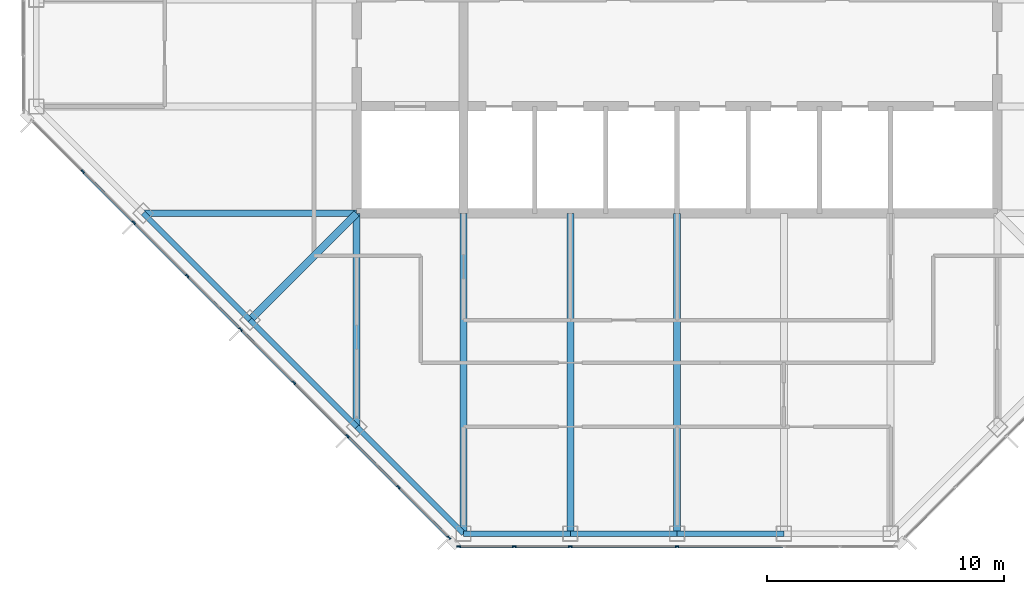
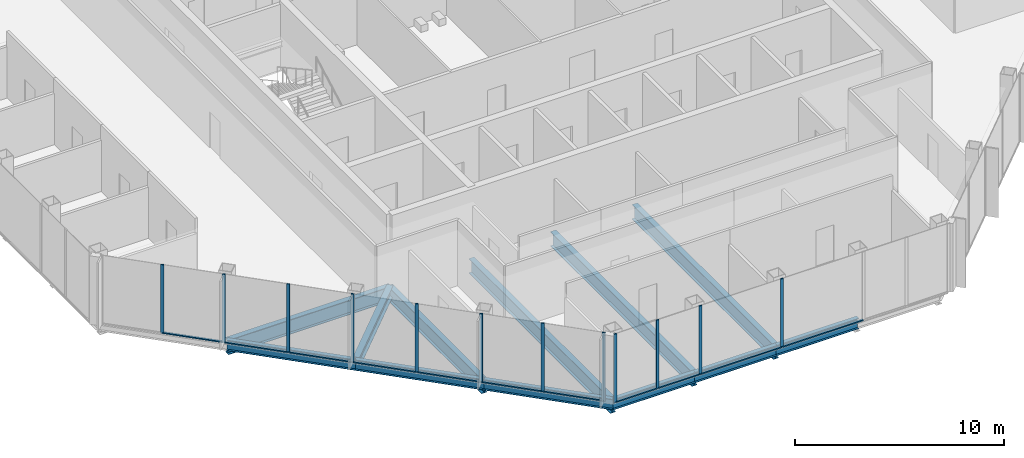
# One storey, part 2 of 14: 23 members, 12 beams, 2 elements without a shape of their own.
"""IFC4 building model written with IfcOpenShell, lengths in metres."""

import ifcopenshell
import ifcopenshell.guid

model = None  # the IFC model being written
_history = None  # IfcOwnerHistory: only IFC2X3 demands one
_inside = {}  # id of a spatial element -> (the spatial element, [elements in it])
_under = {}  # id of a project, library or spatial element -> (it, [spatial elements below it])
_declared = {}  # id of a project -> (the project, [libraries it declares])
_typed = {}  # id of a type object -> (the type object, [elements of that type])
_made_of = {}  # id of a material, layer set ... -> (it, [elements and type objects made of it])


def new_model(schema):
    """Start an empty IFC model of exactly this schema.

    Asked for "IFC4X3", IfcOpenShell would pick the latest addendum, in which some entities
    have other attributes; the version numbers below select the first issue.
    IFC2X3 requires an IfcOwnerHistory on every rooted entity: one is made here for all.
    """
    global model, _history
    if schema == "IFC4X3":
        model = ifcopenshell.file(schema_version=(4, 3, 0, 0))
    else:
        model = ifcopenshell.file(schema=schema)
    _inside.clear()
    _under.clear()
    _declared.clear()
    _typed.clear()
    _made_of.clear()
    _history = None
    if model.schema == "IFC2X3":
        org = make("IfcOrganization", Name="unknown")
        user = make(
            "IfcPersonAndOrganization",
            ThePerson=make("IfcPerson", FamilyName="unknown"),
            TheOrganization=org,
        )
        app = make(
            "IfcApplication",
            ApplicationDeveloper=org,
            Version="unknown",
            ApplicationFullName="unknown",
            ApplicationIdentifier="unknown",
        )
        _history = make(
            "IfcOwnerHistory",
            OwningUser=user,
            OwningApplication=app,
            ChangeAction="ADDED",
            CreationDate=0,
        )
    return model


def make(cls, **values):
    """One entity of the class cls with the attributes given. An attribute that is None is left unset."""
    return model.create_entity(
        cls, **{name: value for name, value in values.items() if value is not None}
    )


def rooted(cls, **values):
    """An entity with a GlobalId (a new one), such as an element, a storey or a relation."""
    return make(cls, GlobalId=ifcopenshell.guid.new(), OwnerHistory=_history, **values)


def si_unit(unit_type, name, prefix=None):
    """IfcSIUnit, for example si_unit("LENGTHUNIT", "METRE", prefix="MILLI")."""
    return make("IfcSIUnit", UnitType=unit_type, Prefix=prefix, Name=name)


def assignment(units):
    """IfcUnitAssignment: the units of a project."""
    return None if units is None else make("IfcUnitAssignment", Units=units)


def point(xyz):
    """IfcCartesianPoint."""
    return None if xyz is None else make("IfcCartesianPoint", Coordinates=xyz)


def direction(xyz):
    """IfcDirection."""
    return None if xyz is None else make("IfcDirection", DirectionRatios=xyz)


def frame(location, z_axis=None, x_axis=None):
    """IfcAxis2Placement3D, a coordinate frame: its origin and axes. An axis left out is left unset."""
    return make(
        "IfcAxis2Placement3D",
        Location=point(location),
        Axis=direction(z_axis),
        RefDirection=direction(x_axis),
    )


def frame_2d(location, x_axis=None):
    """IfcAxis2Placement2D, a coordinate frame in the plane: its origin and x axis."""
    return make(
        "IfcAxis2Placement2D", Location=point(location), RefDirection=direction(x_axis)
    )


def origin():
    """The frame at (0, 0, 0) with its axes left unset."""
    return frame((0.0, 0.0, 0.0))


def origin_2d():
    """The frame at (0, 0) in the plane with its x axis left unset."""
    return frame_2d((0.0, 0.0))


def place(relative_to, where):
    """IfcLocalPlacement: puts the frame where relative to a parent placement (None: the world)."""
    return make(
        "IfcLocalPlacement", PlacementRelTo=relative_to, RelativePlacement=where
    )


def context(
    kind, dimensions, precision=None, world=None, true_north=None, identifier=None
):
    """IfcGeometricRepresentationContext, for example the 3D "Model" context."""
    return make(
        "IfcGeometricRepresentationContext",
        ContextIdentifier=identifier,
        ContextType=kind,
        CoordinateSpaceDimension=dimensions,
        Precision=precision,
        WorldCoordinateSystem=world,
        TrueNorth=true_north,
    )


def subcontext(parent, identifier, kind, view, scale=None):
    """IfcGeometricRepresentationSubContext, for example "Body" below "Model"."""
    return make(
        "IfcGeometricRepresentationSubContext",
        ContextIdentifier=identifier,
        ContextType=kind,
        ParentContext=parent,
        TargetScale=scale,
        TargetView=view,
    )


def project(units=None, contexts=None):
    """IfcProject with its units and contexts."""
    return rooted(
        "IfcProject",
        Name="project",
        RepresentationContexts=contexts,
        UnitsInContext=assignment(units),
    )


def spatial(cls, under=None, at=None, **own):
    """A site, building, storey or space (cls), placed at a placement, below another one or the project."""
    s = rooted(cls, ObjectPlacement=at, **own)
    if under is not None:
        _under.setdefault(under.id(), (under, []))[1].append(s)
    return s


def profile(cls, at=None, kind="AREA", **sizes):
    """A parametric profile (cls). Its sizes go by their IFC names, for example OverallWidth=200.0."""
    return make(cls, ProfileType=kind, Position=at, **sizes)


def rectangle(**sizes):
    """IfcRectangleProfileDef."""
    return profile("IfcRectangleProfileDef", **sizes)


def i_section(**sizes):
    """IfcIShapeProfileDef."""
    return profile("IfcIShapeProfileDef", **sizes)


def extrude(swept, where, along, depth):
    """IfcExtrudedAreaSolid: the profile swept, set in the frame where, extruded along a direction by depth."""
    return make(
        "IfcExtrudedAreaSolid",
        SweptArea=swept,
        Position=where,
        ExtrudedDirection=direction(along),
        Depth=depth,
    )


def shape(context_of_items, identifier, shape_type, items):
    """IfcShapeRepresentation: the items that make up one representation, for example the "Body"."""
    return make(
        "IfcShapeRepresentation",
        ContextOfItems=context_of_items,
        RepresentationIdentifier=identifier,
        RepresentationType=shape_type,
        Items=items,
    )


def material(Name=None, Category=None):
    """IfcMaterial."""
    return make("IfcMaterial", Name=Name, Category=Category)


def material_profile(
    of_material, cross_section, Name=None, Category=None, Priority=None
):
    """IfcMaterialProfile: a cross section and its material."""
    return make(
        "IfcMaterialProfile",
        Name=Name,
        Material=of_material,
        Profile=cross_section,
        Priority=Priority,
        Category=Category,
    )


def profile_set(profiles, Name=None, composite=None):
    """IfcMaterialProfileSet."""
    return make(
        "IfcMaterialProfileSet",
        Name=Name,
        MaterialProfiles=profiles,
        CompositeProfile=composite,
    )


def made_of(thing, what):
    """Note that an element or type object is made of a material, layer set ...; save() writes the relation."""
    if what is not None:
        _made_of.setdefault(what.id(), (what, []))[1].append(thing)
    return thing


def type_object(cls, material=None, **own):
    """A type object (cls), such as IfcWallType, which elements share."""
    return made_of(rooted(cls, **own), material)


def element(
    cls,
    number,
    at=None,
    inside=None,
    cuts=None,
    type_object=None,
    material=None,
    context=None,
    identifier="Body",
    shape_type=None,
    held_by="IfcProductDefinitionShape",
    body=None,
    shapes=None,
    **own,
):
    """One element of the class cls, such as IfcWall. Its Tag is "e" and its number.

    at: its placement. inside: the storey or other place that contains it. cuts: it is an
    opening in that element (IfcRelVoidsElement). A single representation is given by context,
    identifier, shape_type and body (its items); several are given by shapes. held_by: the class
    of the entity that holds the representations. save() writes the other relations.
    """
    e = rooted(cls, Tag="e%d" % number, ObjectPlacement=at, **own)
    if body is not None:
        shapes = [shape(context, identifier, shape_type, body)]
    if shapes is not None:
        e.Representation = make(held_by, Representations=shapes)
    if inside is not None:
        _inside.setdefault(inside.id(), (inside, []))[1].append(e)
    if cuts is not None:
        rooted(
            "IfcRelVoidsElement", RelatingBuildingElement=cuts, RelatedOpeningElement=e
        )
    if type_object is not None:
        _typed.setdefault(type_object.id(), (type_object, []))[1].append(e)
    return made_of(e, material)


def aggregate(whole, parts):
    """IfcRelAggregates: a whole, such as a stair, and the parts it consists of."""
    return rooted("IfcRelAggregates", RelatingObject=whole, RelatedObjects=parts)


def save(model, path):
    """Write the relations noted so far, then the file.

    IfcRelAggregates (storeys below a building ...), IfcRelContainedInSpatialStructure (elements
    in a storey), IfcRelDefinesByType, IfcRelAssociatesMaterial and IfcRelDeclares: one each for
    every whole, place, type object, material and project.
    """
    for whole, parts in _under.values():
        aggregate(whole, parts)
    for where, things in _inside.values():
        rooted(
            "IfcRelContainedInSpatialStructure",
            RelatedElements=things,
            RelatingStructure=where,
        )
    for kind, things in _typed.values():
        rooted("IfcRelDefinesByType", RelatedObjects=things, RelatingType=kind)
    for what, things in _made_of.values():
        rooted("IfcRelAssociatesMaterial", RelatedObjects=things, RelatingMaterial=what)
    for by, libraries in _declared.values():
        rooted("IfcRelDeclares", RelatingContext=by, RelatedDefinitions=libraries)
    model.write(path)


model = new_model("IFC4")

# Units and contexts
model_context = context("Model", 3, precision=1e-05, world=origin(), true_north=direction((0.0, 1.0)))
body_context = subcontext(model_context, "Body", "Model", "MODEL_VIEW")
ifc_project = project(units=[si_unit("LENGTHUNIT", "METRE"), si_unit("AREAUNIT", "SQUARE_METRE"), si_unit("VOLUMEUNIT", "CUBIC_METRE"), si_unit("PLANEANGLEUNIT", "RADIAN"), si_unit("MASSUNIT", "GRAM", prefix="KILO")], contexts=[model_context])

# Site, building, storey
site_placement = place(None, origin())
site = spatial("IfcSite", under=ifc_project, at=site_placement, CompositionType="ELEMENT")
building_placement = place(site_placement, origin())
building = spatial("IfcBuilding", under=site, at=building_placement, Name="Corais Broadcast Tower", CompositionType="ELEMENT")
storey_placement = place(building_placement, frame((0.0, 0.0, 230.60009765625)))
storey = spatial("IfcBuildingStorey", under=building, at=storey_placement, Name="L53", CompositionType="ELEMENT", Elevation=230.60009765625)

# Beams
ifc_material_1 = material(Name="Steel ASTM A572 Grade 50", Category="steel")
ifc_material_profile_1 = material_profile(ifc_material_1, i_section(OverallWidth=0.323974609375, OverallDepth=0.611083984375, WebThickness=0.0126953125, FlangeThickness=0.01904296875, at=origin_2d()), Name="W610x155")
ifc_profile_set_1 = profile_set([ifc_material_profile_1], Name="Steel ASTM A572 Grade 50")
beam_type_1 = type_object("IfcBeamType", Name="Corner diagonal W610x155", PredefinedType="BEAM", material=ifc_profile_set_1)
beam_1_placement = place(storey_placement, frame((9.0, 9.0, -0.465576171875), z_axis=(0.707106781187, 0.707106781187, 0.0), x_axis=(-0.707106781187, 0.707106781187, 0.0)))
element("IfcBeam", 1, at=beam_1_placement, inside=storey, type_object=beam_type_1, Name="B6 C/5 to D/6", PredefinedType="BEAM", context=body_context, shape_type="SweptSolid", body=[
    extrude(i_section(OverallWidth=0.323974609375, OverallDepth=0.611083984375, WebThickness=0.0126953125, FlangeThickness=0.01904296875, at=origin_2d()), origin(), (0.0, 0.0, 1.0), 6.364013671875),
])
ifc_material_2 = material(Name="Steel ASTM A572 Grade 50", Category="steel")
ifc_material_profile_2 = material_profile(ifc_material_2, i_section(OverallWidth=0.2939453125, OverallDepth=0.85107421875, WebThickness=0.01611328125, FlangeThickness=0.02685546875, at=origin_2d()), Name="W840x226")
ifc_profile_set_2 = profile_set([ifc_material_profile_2], Name="Steel ASTM A572 Grade 50")
beam_type_2 = type_object("IfcBeamType", Name="Floor beam W840x226", PredefinedType="BEAM", material=ifc_profile_set_2)
beam_2_placement = place(storey_placement, frame((13.5, 4.5, -0.585693359375), z_axis=(0.0, 1.0, 0.0), x_axis=(-1.0, 0.0, 0.0)))
element("IfcBeam", 2, at=beam_2_placement, inside=storey, type_object=beam_type_2, Name="B1 B/6 to D/6", PredefinedType="BEAM", context=body_context, shape_type="SweptSolid", body=[
    extrude(i_section(OverallWidth=0.2939453125, OverallDepth=0.85107421875, WebThickness=0.01611328125, FlangeThickness=0.02685546875, at=origin_2d()), origin(), (0.0, 0.0, 1.0), 9.0),
])
for number, where, z_axis, x_axis, name in (
    (3, (18.0, 0.0, -0.585693359375), (0.0, 1.0, 0.0), (-1.0, 0.0, 0.0), "B1 A/7 to D/7"),
    (4, (22.5, 0.0, -0.585693359375), (0.0, 1.0, 0.0), (-1.0, 0.0, 0.0), "B1 A/8 to D/8"),
    (5, (27.0, 0.0, -0.585693359375), (0.0, 1.0, 0.0), (-1.0, 0.0, 0.0), "B1 A/9 to D/9"),
):
    element("IfcBeam", number, at=place(storey_placement, frame(where, z_axis=z_axis, x_axis=x_axis)), inside=storey, type_object=beam_type_2, Name=name, PredefinedType="BEAM", context=body_context, shape_type="SweptSolid", body=[
        extrude(i_section(OverallWidth=0.2939453125, OverallDepth=0.85107421875, WebThickness=0.01611328125, FlangeThickness=0.02685546875, at=origin_2d()), origin(), (0.0, 0.0, 1.0), 13.5),
    ])
beam_3_placement = place(storey_placement, frame((4.5, 13.5, -0.585693359375), z_axis=(1.0, 0.0, 0.0), x_axis=(0.0, 1.0, 0.0)))
element("IfcBeam", 6, at=beam_3_placement, inside=storey, type_object=beam_type_2, Name="B1 D/4 to D/6", PredefinedType="BEAM", context=body_context, shape_type="SweptSolid", body=[
    extrude(i_section(OverallWidth=0.2939453125, OverallDepth=0.85107421875, WebThickness=0.01611328125, FlangeThickness=0.02685546875, at=origin_2d()), origin(), (0.0, 0.0, 1.0), 9.0),
])

# Curtain wall, members
ifc_material_3 = material(Name="Aluminium and glass", Category="aluminium")
curtain_wall_type = type_object("IfcCurtainWallType", Name="Unitised fritted curtain wall CW3", PredefinedType="NOTDEFINED", material=ifc_material_3)
curtain_wall_1_placement = place(storey_placement, origin())
curtain_wall_1 = element("IfcCurtainWall", 7, at=curtain_wall_1_placement, inside=storey, type_object=curtain_wall_type, Name="CW3 curtain wall L53 1", PredefinedType="NOTDEFINED")
ifc_material_4 = material(Name="Aluminium 6063-T6", Category="aluminium")
ifc_material_profile_3 = material_profile(ifc_material_4, rectangle(XDim=0.06494140625, YDim=0.159912109375, at=origin_2d()), Name="Mullion CW3 65x160")
ifc_profile_set_3 = profile_set([ifc_material_profile_3], Name="Aluminium 6063-T6")
member_type_1 = type_object("IfcMemberType", Name="Mullion CW3 65x160", PredefinedType="MULLION", material=ifc_profile_set_3)
member_1_placement = place(storey_placement, frame((17.3955078125, -0.17333984375, 0.0), z_axis=(0.0, 0.0, 1.0), x_axis=(-0.707106781187, -0.707106781187, 0.0)))
member_1 = element("IfcMember", 8, at=member_1_placement, type_object=member_type_1, Name="CW3 mullion 1", PredefinedType="MULLION", context=body_context, shape_type="SweptSolid", body=[
    extrude(rectangle(XDim=0.06494140625, YDim=0.159912109375, at=origin_2d()), origin(), (0.0, 0.0, 1.0), 4.0),
])
member_2_placement = place(storey_placement, frame((15.264892578125, 1.957275390625, 0.0), z_axis=(0.0, 0.0, 1.0), x_axis=(-0.707106781187, -0.707106781187, 0.0)))
member_2 = element("IfcMember", 9, at=member_2_placement, type_object=member_type_1, Name="CW3 mullion 2", PredefinedType="MULLION", context=body_context, shape_type="SweptSolid", body=[
    extrude(rectangle(XDim=0.06494140625, YDim=0.159912109375, at=origin_2d()), origin(), (0.0, 0.0, 1.0), 4.0),
])
member_3_placement = place(storey_placement, frame((13.111083984375, 4.111083984375, 0.0), z_axis=(0.0, 0.0, 1.0), x_axis=(-0.707106781187, -0.707106781187, 0.0)))
member_3 = element("IfcMember", 10, at=member_3_placement, type_object=member_type_1, Name="CW3 mullion 3", PredefinedType="MULLION", context=body_context, shape_type="SweptSolid", body=[
    extrude(rectangle(XDim=0.06494140625, YDim=0.159912109375, at=origin_2d()), origin(), (0.0, 0.0, 1.0), 4.0),
])
member_4_placement = place(storey_placement, frame((10.861083984375, 6.361083984375, 0.0), z_axis=(0.0, 0.0, 1.0), x_axis=(-0.707106781187, -0.707106781187, 0.0)))
member_4 = element("IfcMember", 11, at=member_4_placement, type_object=member_type_1, Name="CW3 mullion 4", PredefinedType="MULLION", context=body_context, shape_type="SweptSolid", body=[
    extrude(rectangle(XDim=0.06494140625, YDim=0.159912109375, at=origin_2d()), origin(), (0.0, 0.0, 1.0), 4.0),
])
member_5_placement = place(storey_placement, frame((8.611083984375, 8.611083984375, 0.0), z_axis=(0.0, 0.0, 1.0), x_axis=(-0.707106781187, -0.707106781187, 0.0)))
member_5 = element("IfcMember", 12, at=member_5_placement, type_object=member_type_1, Name="CW3 mullion 5", PredefinedType="MULLION", context=body_context, shape_type="SweptSolid", body=[
    extrude(rectangle(XDim=0.06494140625, YDim=0.159912109375, at=origin_2d()), origin(), (0.0, 0.0, 1.0), 4.0),
])
member_6_placement = place(storey_placement, frame((6.361083984375, 10.861083984375, 0.0), z_axis=(0.0, 0.0, 1.0), x_axis=(-0.707106781187, -0.707106781187, 0.0)))
member_6 = element("IfcMember", 13, at=member_6_placement, type_object=member_type_1, Name="CW3 mullion 6", PredefinedType="MULLION", context=body_context, shape_type="SweptSolid", body=[
    extrude(rectangle(XDim=0.06494140625, YDim=0.159912109375, at=origin_2d()), origin(), (0.0, 0.0, 1.0), 4.0),
])
member_7_placement = place(storey_placement, frame((4.111083984375, 13.111083984375, 0.0), z_axis=(0.0, 0.0, 1.0), x_axis=(-0.707106781187, -0.707106781187, 0.0)))
member_7 = element("IfcMember", 14, at=member_7_placement, type_object=member_type_1, Name="CW3 mullion 7", PredefinedType="MULLION", context=body_context, shape_type="SweptSolid", body=[
    extrude(rectangle(XDim=0.06494140625, YDim=0.159912109375, at=origin_2d()), origin(), (0.0, 0.0, 1.0), 4.0),
])
member_8_placement = place(storey_placement, frame((1.957275390625, 15.264892578125, 0.0), z_axis=(0.0, 0.0, 1.0), x_axis=(-0.707106781187, -0.707106781187, 0.0)))
member_8 = element("IfcMember", 15, at=member_8_placement, type_object=member_type_1, Name="CW3 mullion 8", PredefinedType="MULLION", context=body_context, shape_type="SweptSolid", body=[
    extrude(rectangle(XDim=0.06494140625, YDim=0.159912109375, at=origin_2d()), origin(), (0.0, 0.0, 1.0), 4.0),
])

curtain_wall_2_placement = place(storey_placement, origin())
curtain_wall_2 = element("IfcCurtainWall", 16, at=curtain_wall_2_placement, inside=storey, type_object=curtain_wall_type, Name="CW3 curtain wall L53 8", PredefinedType="NOTDEFINED")
member_9_placement = place(storey_placement, frame((27.0, -0.550048828125, 0.0), z_axis=(0.0, 0.0, 1.0), x_axis=(0.0, -1.0, 0.0)))
member_9 = element("IfcMember", 17, at=member_9_placement, type_object=member_type_1, Name="CW3 mullion 4", PredefinedType="MULLION", context=body_context, shape_type="SweptSolid", body=[
    extrude(rectangle(XDim=0.06494140625, YDim=0.159912109375, at=origin_2d()), origin(), (0.0, 0.0, 1.0), 4.0),
])
member_10_placement = place(storey_placement, frame((22.5, -0.550048828125, 0.0), z_axis=(0.0, 0.0, 1.0), x_axis=(0.0, -1.0, 0.0)))
member_10 = element("IfcMember", 18, at=member_10_placement, type_object=member_type_1, Name="CW3 mullion 5", PredefinedType="MULLION", context=body_context, shape_type="SweptSolid", body=[
    extrude(rectangle(XDim=0.06494140625, YDim=0.159912109375, at=origin_2d()), origin(), (0.0, 0.0, 1.0), 4.0),
])
member_11_placement = place(storey_placement, frame((20.135986328125, -0.550048828125, 0.0), z_axis=(0.0, 0.0, 1.0), x_axis=(0.0, -1.0, 0.0)))
member_11 = element("IfcMember", 19, at=member_11_placement, type_object=member_type_1, Name="CW3 mullion 6", PredefinedType="MULLION", context=body_context, shape_type="SweptSolid", body=[
    extrude(rectangle(XDim=0.06494140625, YDim=0.159912109375, at=origin_2d()), origin(), (0.0, 0.0, 1.0), 4.0),
])
member_12_placement = place(storey_placement, frame((17.8046875, -0.550048828125, 0.0), z_axis=(0.0, 0.0, 1.0), x_axis=(0.0, -1.0, 0.0)))
member_12 = element("IfcMember", 20, at=member_12_placement, type_object=member_type_1, Name="CW3 mullion 7", PredefinedType="MULLION", context=body_context, shape_type="SweptSolid", body=[
    extrude(rectangle(XDim=0.06494140625, YDim=0.159912109375, at=origin_2d()), origin(), (0.0, 0.0, 1.0), 4.0),
])

# Beams
ifc_material_5 = material(Name="Steel ASTM A572 Grade 50", Category="steel")
ifc_material_profile_4 = material_profile(ifc_material_5, i_section(OverallWidth=0.22998046875, OverallDepth=0.616943359375, WebThickness=0.01318359375, FlangeThickness=0.022216796875, at=origin_2d()), Name="W610x140")
ifc_profile_set_4 = profile_set([ifc_material_profile_4], Name="Steel ASTM A572 Grade 50")
beam_type_3 = type_object("IfcBeamType", Name="Spandrel W610x140", PredefinedType="BEAM", material=ifc_profile_set_4)
beam_4_placement = place(storey_placement, frame((13.5, 4.5, -0.468505859375), z_axis=(0.707106781187, -0.707106781187, 0.0), x_axis=(0.707106781187, 0.707106781187, 0.0)))
element("IfcBeam", 21, at=beam_4_placement, inside=storey, type_object=beam_type_3, Name="SB3 B/6 to A/7", PredefinedType="BEAM", context=body_context, shape_type="SweptSolid", body=[
    extrude(i_section(OverallWidth=0.22998046875, OverallDepth=0.616943359375, WebThickness=0.01318359375, FlangeThickness=0.022216796875, at=origin_2d()), origin(), (0.0, 0.0, 1.0), 6.364013671875),
])
for number, where, z_axis, x_axis, name in (
    (22, (18.0, 0.0, -0.468505859375), (1.0, 0.0, 0.0), (0.0, 1.0, 0.0), "SB3 A/7 to A/8"),
    (23, (22.5, 0.0, -0.468505859375), (1.0, 0.0, 0.0), (0.0, 1.0, 0.0), "SB3 A/8 to A/9"),
    (24, (27.0, 0.0, -0.468505859375), (1.0, 0.0, 0.0), (0.0, 1.0, 0.0), "SB3 A/9 to A/10"),
):
    element("IfcBeam", number, at=place(storey_placement, frame(where, z_axis=z_axis, x_axis=x_axis)), inside=storey, type_object=beam_type_3, Name=name, PredefinedType="BEAM", context=body_context, shape_type="SweptSolid", body=[
        extrude(i_section(OverallWidth=0.22998046875, OverallDepth=0.616943359375, WebThickness=0.01318359375, FlangeThickness=0.022216796875, at=origin_2d()), origin(), (0.0, 0.0, 1.0), 4.5),
    ])
for number, where, z_axis, x_axis, name in (
    (25, (4.5, 13.5, -0.468505859375), (0.707106781187, -0.707106781187, 0.0), (0.707106781187, 0.707106781187, 0.0), "SB3 D/4 to C/5"),
    (26, (9.0, 9.0, -0.468505859375), (0.707106781187, -0.707106781187, 0.0), (0.707106781187, 0.707106781187, 0.0), "SB3 C/5 to B/6"),
):
    element("IfcBeam", number, at=place(storey_placement, frame(where, z_axis=z_axis, x_axis=x_axis)), inside=storey, type_object=beam_type_3, Name=name, PredefinedType="BEAM", context=body_context, shape_type="SweptSolid", body=[
        extrude(i_section(OverallWidth=0.22998046875, OverallDepth=0.616943359375, WebThickness=0.01318359375, FlangeThickness=0.022216796875, at=origin_2d()), origin(), (0.0, 0.0, 1.0), 6.364013671875),
    ])

# Member
ifc_material_6 = material(Name="Aluminium 6063-T6", Category="aluminium")
ifc_material_profile_5 = material_profile(ifc_material_6, rectangle(XDim=0.1201171875, YDim=0.06494140625, at=origin_2d()), Name="Transom CW3 65x120")
ifc_profile_set_5 = profile_set([ifc_material_profile_5], Name="Aluminium 6063-T6")
member_type_2 = type_object("IfcMemberType", Name="Transom CW3 65x120", PredefinedType="USERDEFINED", material=ifc_profile_set_5)
member_13_placement = place(storey_placement, frame((17.37255859375, -0.150390625, 0.032470703125), z_axis=(-0.707106781187, 0.707106781187, 0.0), x_axis=(-0.707106781187, -0.707106781187, 0.0)))
member_13 = element("IfcMember", 27, at=member_13_placement, type_object=member_type_2, Name="CW3 transom 1.1", ObjectType="TRANSOM", PredefinedType="USERDEFINED", context=body_context, shape_type="SweptSolid", body=[
    extrude(rectangle(XDim=0.1201171875, YDim=0.06494140625, at=origin_2d()), origin(), (0.0, 0.0, 1.0), 2.9482421875),
])

member_14_placement = place(storey_placement, frame((15.241943359375, 1.980224609375, 0.032470703125), z_axis=(-0.707106781187, 0.707106781187, 0.0), x_axis=(-0.707106781187, -0.707106781187, 0.0)))
member_14 = element("IfcMember", 28, at=member_14_placement, type_object=member_type_2, Name="CW3 transom 2.1", ObjectType="TRANSOM", PredefinedType="USERDEFINED", context=body_context, shape_type="SweptSolid", body=[
    extrude(rectangle(XDim=0.1201171875, YDim=0.06494140625, at=origin_2d()), origin(), (0.0, 0.0, 1.0), 2.98095703125),
])

member_15_placement = place(storey_placement, frame((13.088134765625, 4.134033203125, 0.032470703125), z_axis=(-0.707106781187, 0.707106781187, 0.0), x_axis=(-0.707106781187, -0.707106781187, 0.0)))
member_15 = element("IfcMember", 29, at=member_15_placement, type_object=member_type_2, Name="CW3 transom 3.1", ObjectType="TRANSOM", PredefinedType="USERDEFINED", context=body_context, shape_type="SweptSolid", body=[
    extrude(rectangle(XDim=0.1201171875, YDim=0.06494140625, at=origin_2d()), origin(), (0.0, 0.0, 1.0), 3.1171875),
])

member_16_placement = place(storey_placement, frame((10.838134765625, 6.384033203125, 0.032470703125), z_axis=(-0.707106781187, 0.707106781187, 0.0), x_axis=(-0.707106781187, -0.707106781187, 0.0)))
member_16 = element("IfcMember", 30, at=member_16_placement, type_object=member_type_2, Name="CW3 transom 4.1", ObjectType="TRANSOM", PredefinedType="USERDEFINED", context=body_context, shape_type="SweptSolid", body=[
    extrude(rectangle(XDim=0.1201171875, YDim=0.06494140625, at=origin_2d()), origin(), (0.0, 0.0, 1.0), 3.1171875),
])

member_17_placement = place(storey_placement, frame((8.588134765625, 8.634033203125, 0.032470703125), z_axis=(-0.707106781187, 0.707106781187, 0.0), x_axis=(-0.707106781187, -0.707106781187, 0.0)))
member_17 = element("IfcMember", 31, at=member_17_placement, type_object=member_type_2, Name="CW3 transom 5.1", ObjectType="TRANSOM", PredefinedType="USERDEFINED", context=body_context, shape_type="SweptSolid", body=[
    extrude(rectangle(XDim=0.1201171875, YDim=0.06494140625, at=origin_2d()), origin(), (0.0, 0.0, 1.0), 3.1171875),
])

member_18_placement = place(storey_placement, frame((6.338134765625, 10.884033203125, 0.032470703125), z_axis=(-0.707106781187, 0.707106781187, 0.0), x_axis=(-0.707106781187, -0.707106781187, 0.0)))
member_18 = element("IfcMember", 32, at=member_18_placement, type_object=member_type_2, Name="CW3 transom 6.1", ObjectType="TRANSOM", PredefinedType="USERDEFINED", context=body_context, shape_type="SweptSolid", body=[
    extrude(rectangle(XDim=0.1201171875, YDim=0.06494140625, at=origin_2d()), origin(), (0.0, 0.0, 1.0), 3.1171875),
])

member_19_placement = place(storey_placement, frame((4.088134765625, 13.134033203125, 0.032470703125), z_axis=(-0.707065828661, 0.70714773134, 0.0), x_axis=(-0.70714773134, -0.707065828661, 0.0)))
member_19 = element("IfcMember", 33, at=member_19_placement, type_object=member_type_2, Name="CW3 transom 7.1", ObjectType="TRANSOM", PredefinedType="USERDEFINED", context=body_context, shape_type="SweptSolid", body=[
    extrude(rectangle(XDim=0.1201171875, YDim=0.06494140625, at=origin_2d()), origin(), (0.0, 0.0, 1.0), 2.98095703125),
])

aggregate(curtain_wall_1, [member_1, member_2, member_3, member_4, member_5, member_6, member_7, member_8, member_13, member_14, member_15, member_16, member_17, member_18, member_19])

member_20_placement = place(storey_placement, frame((31.467529296875, -0.550048828125, 0.032470703125), z_axis=(-1.0, 0.0, 0.0), x_axis=(0.0, -1.0, 0.0)))
member_20 = element("IfcMember", 34, at=member_20_placement, type_object=member_type_2, Name="CW3 transom 3.1", ObjectType="TRANSOM", PredefinedType="USERDEFINED", context=body_context, shape_type="SweptSolid", body=[
    extrude(rectangle(XDim=0.1201171875, YDim=0.06494140625, at=origin_2d()), origin(), (0.0, 0.0, 1.0), 4.43505859375),
])

member_21_placement = place(storey_placement, frame((26.967529296875, -0.550048828125, 0.032470703125), z_axis=(-1.0, 0.0, 0.0), x_axis=(0.0, -1.0, 0.0)))
member_21 = element("IfcMember", 35, at=member_21_placement, type_object=member_type_2, Name="CW3 transom 4.1", ObjectType="TRANSOM", PredefinedType="USERDEFINED", context=body_context, shape_type="SweptSolid", body=[
    extrude(rectangle(XDim=0.1201171875, YDim=0.06494140625, at=origin_2d()), origin(), (0.0, 0.0, 1.0), 4.43505859375),
])

member_22_placement = place(storey_placement, frame((22.467529296875, -0.550048828125, 0.032470703125), z_axis=(-1.0, 0.0, 0.0), x_axis=(0.0, -1.0, 0.0)))
member_22 = element("IfcMember", 36, at=member_22_placement, type_object=member_type_2, Name="CW3 transom 5.1", ObjectType="TRANSOM", PredefinedType="USERDEFINED", context=body_context, shape_type="SweptSolid", body=[
    extrude(rectangle(XDim=0.1201171875, YDim=0.06494140625, at=origin_2d()), origin(), (0.0, 0.0, 1.0), 2.298828125),
])

member_23_placement = place(storey_placement, frame((20.103515625, -0.550048828125, 0.032470703125), z_axis=(-1.0, 0.0, 0.0), x_axis=(0.0, -1.0, 0.0)))
member_23 = element("IfcMember", 37, at=member_23_placement, type_object=member_type_2, Name="CW3 transom 6.1", ObjectType="TRANSOM", PredefinedType="USERDEFINED", context=body_context, shape_type="SweptSolid", body=[
    extrude(rectangle(XDim=0.1201171875, YDim=0.06494140625, at=origin_2d()), origin(), (0.0, 0.0, 1.0), 2.266357421875),
])

aggregate(curtain_wall_2, [member_9, member_10, member_11, member_12, member_20, member_21, member_22, member_23])

save(model, "model.ifc")
